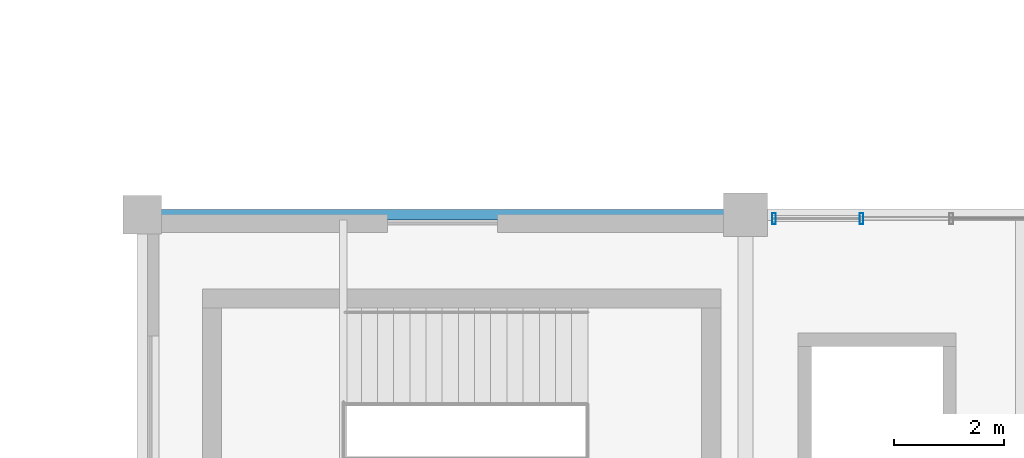
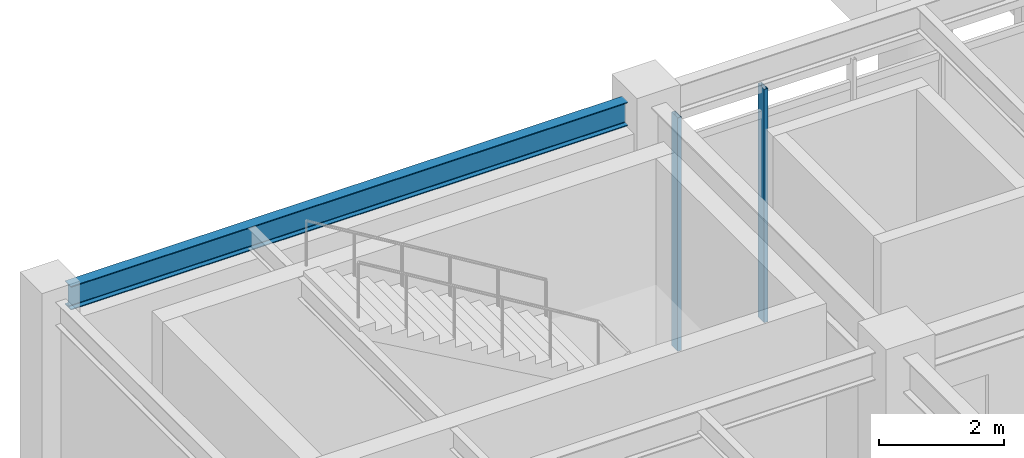
# One storey, part 138 of 203: 2 members, 1 beam, 1 element without a shape of its own.
"""IFC4 building model written with IfcOpenShell, lengths in metres."""

from ifc_helpers import new_model, si_unit, direction, frame, origin, origin_2d, place, context, subcontext, project, spatial, hollow_rectangle, i_section, extrude, material, material_profile, profile_set, type_object, element, aggregate, save


model = new_model("IFC4")

# Units and contexts
model_context = context("Model", 3, precision=1e-05, world=origin(), true_north=direction((0.0, 1.0)))
body_context = subcontext(model_context, "Body", "Model", "MODEL_VIEW")
ifc_project = project(units=[si_unit("LENGTHUNIT", "METRE"), si_unit("AREAUNIT", "SQUARE_METRE"), si_unit("VOLUMEUNIT", "CUBIC_METRE"), si_unit("PLANEANGLEUNIT", "RADIAN"), si_unit("MASSUNIT", "GRAM", prefix="KILO"), si_unit("THERMODYNAMICTEMPERATUREUNIT", "KELVIN"), si_unit("POWERUNIT", "WATT")], contexts=[model_context])

# Site, building, storey
site_placement = place(None, origin())
site = spatial("IfcSite", under=ifc_project, at=site_placement, CompositionType="ELEMENT")
building_placement = place(site_placement, origin())
building = spatial("IfcBuilding", under=site, at=building_placement, Name="Tepalcoro Natatorium and Aquatics Centre", CompositionType="ELEMENT")
storey_placement = place(building_placement, origin())
storey = spatial("IfcBuildingStorey", under=building, at=storey_placement, Name="L00", CompositionType="ELEMENT", Elevation=0.0)

# Curtain wall, members
ifc_material_1 = material(Name="Bronze-Anodised Extruded Aluminium Alloy EN AW-6063 T6", Category="aluminium")
curtain_wall_type = type_object("IfcCurtainWallType", Name="CW_LEAN_T1_EW", PredefinedType="USERDEFINED", material=ifc_material_1)
curtain_wall_placement = place(storey_placement, origin())
curtain_wall = element("IfcCurtainWall", 1, at=curtain_wall_placement, inside=storey, type_object=curtain_wall_type, Name="V4 L00 N Unitised Curtain Wall Bay 2", ObjectType="FACETED SOLAR GLAZING", PredefinedType="USERDEFINED")
ifc_material_profile_1 = material_profile(ifc_material_1, hollow_rectangle(XDim=0.070068359375, YDim=0.199951171875, WallThickness=0.0048828125, at=origin_2d()), Name="AL70X200X5")
ifc_profile_set_1 = profile_set([ifc_material_profile_1], Name="Bronze-Anodised Extruded Aluminium Alloy EN AW-6063 T6")
member_type = type_object("IfcMemberType", Name="CW_MUL_70x200", PredefinedType="MULLION", material=ifc_profile_set_1)
member_1_placement = place(storey_placement, frame((21.52001953125, 117.9287109375, 0.02001953125), z_axis=(0.0, 0.0, 1.0), x_axis=(1.0, 0.0, 0.0)))
member_1 = element("IfcMember", 2, at=member_1_placement, type_object=member_type, Name="CW_LEAN_T1_EW Curtain Wall Mullion", PredefinedType="MULLION", context=body_context, shape_type="SweptSolid", body=[
    extrude(hollow_rectangle(XDim=0.070068359375, YDim=0.199951171875, WallThickness=0.0048828125, at=origin_2d()), origin(), (0.0, 0.0, 1.0), 4.553955078125),
])
member_2_placement = place(storey_placement, frame((23.114990234375, 117.9287109375, 0.02001953125), z_axis=(0.0, 0.0, 1.0), x_axis=(1.0, 0.0, 0.0)))
member_2 = element("IfcMember", 3, at=member_2_placement, type_object=member_type, Name="CW_LEAN_T1_EW Curtain Wall Mullion", PredefinedType="MULLION", context=body_context, shape_type="SweptSolid", body=[
    extrude(hollow_rectangle(XDim=0.070068359375, YDim=0.199951171875, WallThickness=0.0048828125, at=origin_2d()), origin(), (0.0, 0.0, 1.0), 4.553955078125),
])
aggregate(curtain_wall, [member_1, member_2])

# Beam
ifc_material_2 = material(Name="Steel ASTM A992 Grade 50 (Fy 345 MPa)", Category="steel")
ifc_material_profile_2 = material_profile(ifc_material_2, i_section(OverallWidth=0.19091796875, OverallDepth=0.4599609375, WebThickness=0.010009765625, FlangeThickness=0.01611328125, FilletRadius=0.013916015625, at=origin_2d()), Name="W18X55")
ifc_profile_set_2 = profile_set([ifc_material_profile_2], Name="Steel ASTM A992 Grade 50 (Fy 345 MPa)")
beam_type = type_object("IfcBeamType", Name="SP_W18x55", PredefinedType="SPANDREL", material=ifc_profile_set_2)
beam_placement = place(storey_placement, frame((10.3349609375, 118.0, 4.9150390625), z_axis=(1.0, 0.0, 0.0), x_axis=(0.0, 1.0, 0.0)))
element("IfcBeam", 4, at=beam_placement, inside=storey, type_object=beam_type, Name="V4 L00 Grid Girder X", PredefinedType="SPANDREL", context=body_context, shape_type="SweptSolid", body=[
    extrude(i_section(OverallWidth=0.19091796875, OverallDepth=0.4599609375, WebThickness=0.010009765625, FlangeThickness=0.01611328125, FilletRadius=0.013916015625, at=origin_2d()), origin(), (0.0, 0.0, 1.0), 10.280029296875),
])

save(model, "model.ifc")
